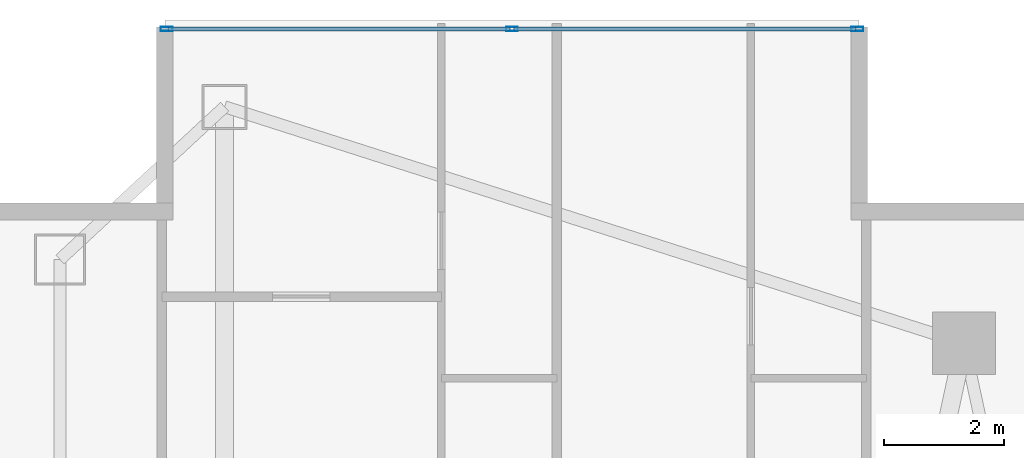
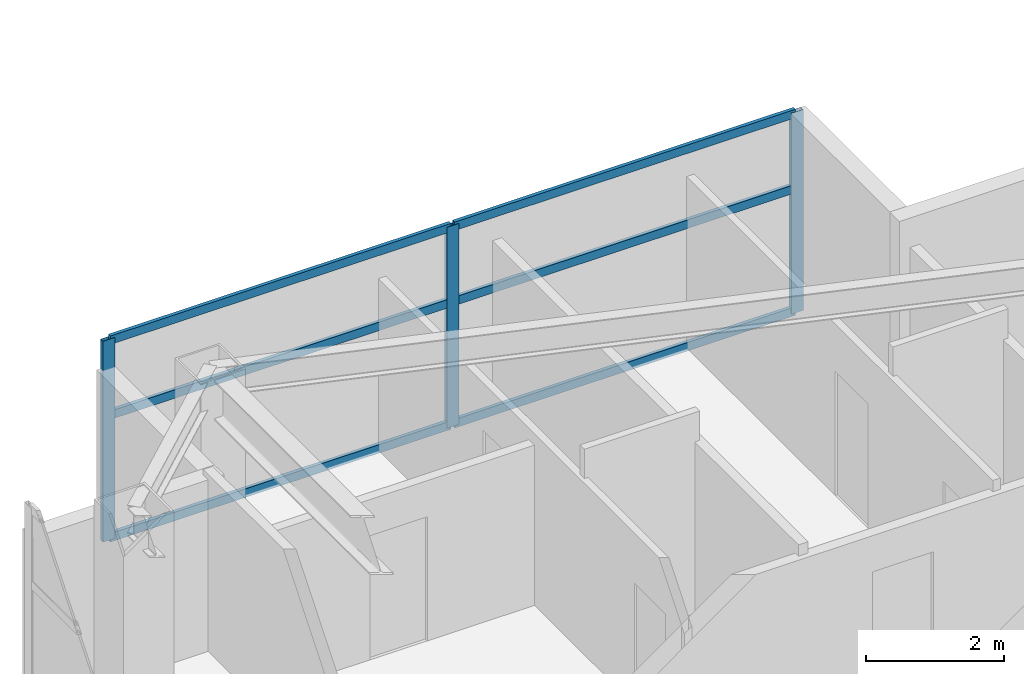
# One storey, part 19 of 29: 9 members, 1 element without a shape of its own.
"""IFC4 building model written with IfcOpenShell, lengths in metres."""

from ifc_helpers import new_model, si_unit, direction, frame, origin, origin_2d, place, context, subcontext, project, spatial, hollow_rectangle, extrude, material, layer, layer_set, material_profile, profile_set, type_object, element, aggregate, save


model = new_model("IFC4")

# Units and contexts
model_context = context("Model", 3, precision=1e-05, world=origin(), true_north=direction((0.0, 1.0)))
body_context = subcontext(model_context, "Body", "Model", "MODEL_VIEW")
ifc_project = project(units=[si_unit("LENGTHUNIT", "METRE"), si_unit("AREAUNIT", "SQUARE_METRE"), si_unit("VOLUMEUNIT", "CUBIC_METRE"), si_unit("PLANEANGLEUNIT", "RADIAN"), si_unit("MASSUNIT", "GRAM", prefix="KILO")], contexts=[model_context])

# Site, building, storey
site_placement = place(None, origin())
site = spatial("IfcSite", under=ifc_project, at=site_placement, CompositionType="ELEMENT")
building_placement = place(site_placement, origin())
building = spatial("IfcBuilding", under=site, at=building_placement, Name="Calvorn Quay Hotel", CompositionType="ELEMENT")
storey_placement = place(building_placement, frame((0.0, 0.0, 105.0)))
storey = spatial("IfcBuildingStorey", under=building, at=storey_placement, Name="L25", CompositionType="ELEMENT", Elevation=105.0)

# Curtain wall, members
ifc_material_1 = material(Name="Pale Anodised Aluminium and Low-E Glass", Category="aluminium")
ifc_layer = layer(ifc_material_1, 0.219970703125)
ifc_layer_set = layer_set([ifc_layer], Name="CW-SYS-Z2")
curtain_wall_type = type_object("IfcCurtainWallType", Name="CW-SYS-Z2", PredefinedType="NOTDEFINED", material=ifc_layer_set)
curtain_wall_placement = place(storey_placement, origin())
curtain_wall = element("IfcCurtainWall", 1, at=curtain_wall_placement, inside=storey, type_object=curtain_wall_type, Name="Inner Court Curtain Wall L25-N1", PredefinedType="NOTDEFINED")
ifc_material_2 = material(Name="Pale Anodised Aluminium 6063-T6", Category="aluminium")
ifc_material_profile_1 = material_profile(ifc_material_2, hollow_rectangle(XDim=0.070068359375, YDim=0.199951171875, WallThickness=0.00390625, at=origin_2d()), Name="ALU-M200x70x4")
ifc_profile_set_1 = profile_set([ifc_material_profile_1], Name="Pale Anodised Aluminium 6063-T6")
member_type_1 = type_object("IfcMemberType", Name="CW-SYS-Z2-MUL", PredefinedType="MULLION", material=ifc_profile_set_1)
member_1_placement = place(storey_placement, frame((14.77001953125, 50.85009765625, 0.0), z_axis=(0.0, 0.0, 1.0), x_axis=(0.0, -1.0, 0.0)))
member_1 = element("IfcMember", 2, at=member_1_placement, type_object=member_type_1, Name="CW-L25-N1 mullion 1", PredefinedType="MULLION", context=body_context, shape_type="SweptSolid", body=[
    extrude(hollow_rectangle(XDim=0.070068359375, YDim=0.199951171875, WallThickness=0.00390625, at=origin_2d()), origin(), (0.0, 0.0, 1.0), 3.56005859375),
])
member_2_placement = place(storey_placement, frame((9.0, 50.85009765625, 0.0), z_axis=(0.0, 0.0, 1.0), x_axis=(0.0, -1.0, 0.0)))
member_2 = element("IfcMember", 3, at=member_2_placement, type_object=member_type_1, Name="CW-L25-N1 mullion 2", PredefinedType="MULLION", context=body_context, shape_type="SweptSolid", body=[
    extrude(hollow_rectangle(XDim=0.070068359375, YDim=0.199951171875, WallThickness=0.00390625, at=origin_2d()), origin(), (0.0, 0.0, 1.0), 3.56005859375),
])
member_3_placement = place(storey_placement, frame((3.22998046875, 50.85009765625, 0.0), z_axis=(0.0, 0.0, 1.0), x_axis=(0.0, -1.0, 0.0)))
member_3 = element("IfcMember", 4, at=member_3_placement, type_object=member_type_1, Name="CW-L25-N1 mullion 3", PredefinedType="MULLION", context=body_context, shape_type="SweptSolid", body=[
    extrude(hollow_rectangle(XDim=0.070068359375, YDim=0.199951171875, WallThickness=0.00390625, at=origin_2d()), origin(), (0.0, 0.0, 1.0), 3.56005859375),
])
ifc_material_3 = material(Name="Pale Anodised Aluminium 6063-T6", Category="aluminium")
ifc_material_profile_2 = material_profile(ifc_material_3, hollow_rectangle(XDim=0.06005859375, YDim=0.14990234375, WallThickness=0.00341796875, at=origin_2d()), Name="ALU-T150x60x3.5")
ifc_profile_set_2 = profile_set([ifc_material_profile_2], Name="Pale Anodised Aluminium 6063-T6")
member_type_2 = type_object("IfcMemberType", Name="CW-SYS-Z2-TRN", PredefinedType="USERDEFINED", material=ifc_profile_set_2)
member_4_placement = place(storey_placement, frame((14.739990234375, 50.85009765625, 0.030029296875), z_axis=(-1.0, 0.0, 0.0), x_axis=(0.0, -1.0, 0.0)))
member_4 = element("IfcMember", 5, at=member_4_placement, type_object=member_type_2, Name="CW-L25-N1 transom 1.1", ObjectType="TRANSOM", PredefinedType="USERDEFINED", context=body_context, shape_type="SweptSolid", body=[
    extrude(hollow_rectangle(XDim=0.06005859375, YDim=0.14990234375, WallThickness=0.00341796875, at=origin_2d()), origin(), (0.0, 0.0, 1.0), 5.7099609375),
])
member_5_placement = place(storey_placement, frame((14.739990234375, 50.85009765625, 2.199951171875), z_axis=(-1.0, 0.0, 0.0), x_axis=(0.0, -1.0, 0.0)))
member_5 = element("IfcMember", 6, at=member_5_placement, type_object=member_type_2, Name="CW-L25-N1 transom 1.2", ObjectType="TRANSOM", PredefinedType="USERDEFINED", context=body_context, shape_type="SweptSolid", body=[
    extrude(hollow_rectangle(XDim=0.06005859375, YDim=0.14990234375, WallThickness=0.00341796875, at=origin_2d()), origin(), (0.0, 0.0, 1.0), 5.7099609375),
])
member_6_placement = place(storey_placement, frame((14.739990234375, 50.85009765625, 3.530029296875), z_axis=(-1.0, 0.0, 0.0), x_axis=(0.0, -1.0, 0.0)))
member_6 = element("IfcMember", 7, at=member_6_placement, type_object=member_type_2, Name="CW-L25-N1 transom 1.3", ObjectType="TRANSOM", PredefinedType="USERDEFINED", context=body_context, shape_type="SweptSolid", body=[
    extrude(hollow_rectangle(XDim=0.06005859375, YDim=0.14990234375, WallThickness=0.00341796875, at=origin_2d()), origin(), (0.0, 0.0, 1.0), 5.7099609375),
])
member_7_placement = place(storey_placement, frame((8.969970703125, 50.85009765625, 0.030029296875), z_axis=(-1.0, 0.0, 0.0), x_axis=(0.0, -1.0, 0.0)))
member_7 = element("IfcMember", 8, at=member_7_placement, type_object=member_type_2, Name="CW-L25-N1 transom 2.1", ObjectType="TRANSOM", PredefinedType="USERDEFINED", context=body_context, shape_type="SweptSolid", body=[
    extrude(hollow_rectangle(XDim=0.06005859375, YDim=0.14990234375, WallThickness=0.00341796875, at=origin_2d()), origin(), (0.0, 0.0, 1.0), 5.7099609375),
])
member_8_placement = place(storey_placement, frame((8.969970703125, 50.85009765625, 2.199951171875), z_axis=(-1.0, 0.0, 0.0), x_axis=(0.0, -1.0, 0.0)))
member_8 = element("IfcMember", 9, at=member_8_placement, type_object=member_type_2, Name="CW-L25-N1 transom 2.2", ObjectType="TRANSOM", PredefinedType="USERDEFINED", context=body_context, shape_type="SweptSolid", body=[
    extrude(hollow_rectangle(XDim=0.06005859375, YDim=0.14990234375, WallThickness=0.00341796875, at=origin_2d()), origin(), (0.0, 0.0, 1.0), 5.7099609375),
])
member_9_placement = place(storey_placement, frame((8.969970703125, 50.85009765625, 3.530029296875), z_axis=(-1.0, 0.0, 0.0), x_axis=(0.0, -1.0, 0.0)))
member_9 = element("IfcMember", 10, at=member_9_placement, type_object=member_type_2, Name="CW-L25-N1 transom 2.3", ObjectType="TRANSOM", PredefinedType="USERDEFINED", context=body_context, shape_type="SweptSolid", body=[
    extrude(hollow_rectangle(XDim=0.06005859375, YDim=0.14990234375, WallThickness=0.00341796875, at=origin_2d()), origin(), (0.0, 0.0, 1.0), 5.7099609375),
])
aggregate(curtain_wall, [member_1, member_2, member_3, member_4, member_5, member_6, member_7, member_8, member_9])

save(model, "model.ifc")
